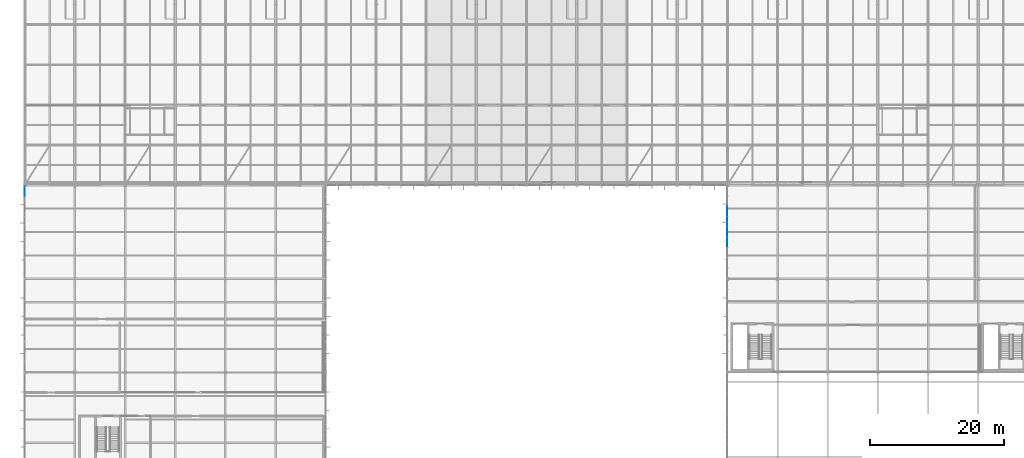
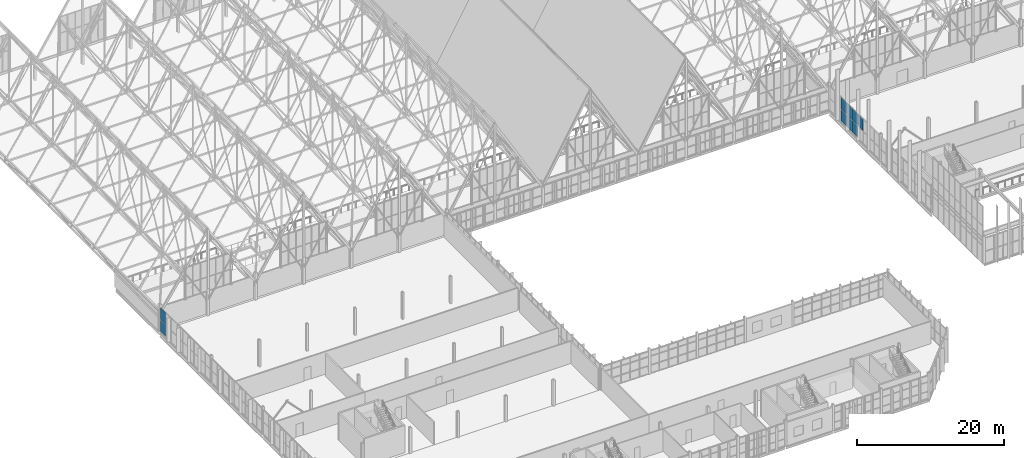
# One storey, part 272 of 324: 9 plates, 2 elements without a shape of their own.
"""IFC4 building model written with IfcOpenShell, lengths in metres."""

import ifcopenshell
import ifcopenshell.guid

model = None  # the IFC model being written
_history = None  # IfcOwnerHistory: only IFC2X3 demands one
_inside = {}  # id of a spatial element -> (the spatial element, [elements in it])
_under = {}  # id of a project, library or spatial element -> (it, [spatial elements below it])
_declared = {}  # id of a project -> (the project, [libraries it declares])
_typed = {}  # id of a type object -> (the type object, [elements of that type])
_made_of = {}  # id of a material, layer set ... -> (it, [elements and type objects made of it])


def new_model(schema):
    """Start an empty IFC model of exactly this schema.

    Asked for "IFC4X3", IfcOpenShell would pick the latest addendum, in which some entities
    have other attributes; the version numbers below select the first issue.
    IFC2X3 requires an IfcOwnerHistory on every rooted entity: one is made here for all.
    """
    global model, _history
    if schema == "IFC4X3":
        model = ifcopenshell.file(schema_version=(4, 3, 0, 0))
    else:
        model = ifcopenshell.file(schema=schema)
    _inside.clear()
    _under.clear()
    _declared.clear()
    _typed.clear()
    _made_of.clear()
    _history = None
    if model.schema == "IFC2X3":
        org = make("IfcOrganization", Name="unknown")
        user = make(
            "IfcPersonAndOrganization",
            ThePerson=make("IfcPerson", FamilyName="unknown"),
            TheOrganization=org,
        )
        app = make(
            "IfcApplication",
            ApplicationDeveloper=org,
            Version="unknown",
            ApplicationFullName="unknown",
            ApplicationIdentifier="unknown",
        )
        _history = make(
            "IfcOwnerHistory",
            OwningUser=user,
            OwningApplication=app,
            ChangeAction="ADDED",
            CreationDate=0,
        )
    return model


def make(cls, **values):
    """One entity of the class cls with the attributes given. An attribute that is None is left unset."""
    return model.create_entity(
        cls, **{name: value for name, value in values.items() if value is not None}
    )


def rooted(cls, **values):
    """An entity with a GlobalId (a new one), such as an element, a storey or a relation."""
    return make(cls, GlobalId=ifcopenshell.guid.new(), OwnerHistory=_history, **values)


def si_unit(unit_type, name, prefix=None):
    """IfcSIUnit, for example si_unit("LENGTHUNIT", "METRE", prefix="MILLI")."""
    return make("IfcSIUnit", UnitType=unit_type, Prefix=prefix, Name=name)


def assignment(units):
    """IfcUnitAssignment: the units of a project."""
    return None if units is None else make("IfcUnitAssignment", Units=units)


def point(xyz):
    """IfcCartesianPoint."""
    return None if xyz is None else make("IfcCartesianPoint", Coordinates=xyz)


def direction(xyz):
    """IfcDirection."""
    return None if xyz is None else make("IfcDirection", DirectionRatios=xyz)


def frame(location, z_axis=None, x_axis=None):
    """IfcAxis2Placement3D, a coordinate frame: its origin and axes. An axis left out is left unset."""
    return make(
        "IfcAxis2Placement3D",
        Location=point(location),
        Axis=direction(z_axis),
        RefDirection=direction(x_axis),
    )


def frame_2d(location, x_axis=None):
    """IfcAxis2Placement2D, a coordinate frame in the plane: its origin and x axis."""
    return make(
        "IfcAxis2Placement2D", Location=point(location), RefDirection=direction(x_axis)
    )


def origin():
    """The frame at (0, 0, 0) with its axes left unset."""
    return frame((0.0, 0.0, 0.0))


def origin_2d():
    """The frame at (0, 0) in the plane with its x axis left unset."""
    return frame_2d((0.0, 0.0))


def place(relative_to, where):
    """IfcLocalPlacement: puts the frame where relative to a parent placement (None: the world)."""
    return make(
        "IfcLocalPlacement", PlacementRelTo=relative_to, RelativePlacement=where
    )


def context(
    kind, dimensions, precision=None, world=None, true_north=None, identifier=None
):
    """IfcGeometricRepresentationContext, for example the 3D "Model" context."""
    return make(
        "IfcGeometricRepresentationContext",
        ContextIdentifier=identifier,
        ContextType=kind,
        CoordinateSpaceDimension=dimensions,
        Precision=precision,
        WorldCoordinateSystem=world,
        TrueNorth=true_north,
    )


def subcontext(parent, identifier, kind, view, scale=None):
    """IfcGeometricRepresentationSubContext, for example "Body" below "Model"."""
    return make(
        "IfcGeometricRepresentationSubContext",
        ContextIdentifier=identifier,
        ContextType=kind,
        ParentContext=parent,
        TargetScale=scale,
        TargetView=view,
    )


def project(units=None, contexts=None):
    """IfcProject with its units and contexts."""
    return rooted(
        "IfcProject",
        Name="project",
        RepresentationContexts=contexts,
        UnitsInContext=assignment(units),
    )


def spatial(cls, under=None, at=None, **own):
    """A site, building, storey or space (cls), placed at a placement, below another one or the project."""
    s = rooted(cls, ObjectPlacement=at, **own)
    if under is not None:
        _under.setdefault(under.id(), (under, []))[1].append(s)
    return s


def profile(cls, at=None, kind="AREA", **sizes):
    """A parametric profile (cls). Its sizes go by their IFC names, for example OverallWidth=200.0."""
    return make(cls, ProfileType=kind, Position=at, **sizes)


def rectangle(**sizes):
    """IfcRectangleProfileDef."""
    return profile("IfcRectangleProfileDef", **sizes)


def extrude(swept, where, along, depth):
    """IfcExtrudedAreaSolid: the profile swept, set in the frame where, extruded along a direction by depth."""
    return make(
        "IfcExtrudedAreaSolid",
        SweptArea=swept,
        Position=where,
        ExtrudedDirection=direction(along),
        Depth=depth,
    )


def shape(context_of_items, identifier, shape_type, items):
    """IfcShapeRepresentation: the items that make up one representation, for example the "Body"."""
    return make(
        "IfcShapeRepresentation",
        ContextOfItems=context_of_items,
        RepresentationIdentifier=identifier,
        RepresentationType=shape_type,
        Items=items,
    )


def material(Name=None, Category=None):
    """IfcMaterial."""
    return make("IfcMaterial", Name=Name, Category=Category)


def layer(
    of_material, thickness, ventilated=None, Name=None, Category=None, Priority=None
):
    """IfcMaterialLayer: one layer of a wall or slab, of a material (None: an air gap)."""
    return make(
        "IfcMaterialLayer",
        Material=of_material,
        LayerThickness=thickness,
        IsVentilated=ventilated,
        Name=Name,
        Category=Category,
        Priority=Priority,
    )


def layer_set(layers, Name=None):
    """IfcMaterialLayerSet."""
    return make("IfcMaterialLayerSet", MaterialLayers=layers, LayerSetName=Name)


def made_of(thing, what):
    """Note that an element or type object is made of a material, layer set ...; save() writes the relation."""
    if what is not None:
        _made_of.setdefault(what.id(), (what, []))[1].append(thing)
    return thing


def type_object(cls, material=None, **own):
    """A type object (cls), such as IfcWallType, which elements share."""
    return made_of(rooted(cls, **own), material)


def element(
    cls,
    number,
    at=None,
    inside=None,
    cuts=None,
    type_object=None,
    material=None,
    context=None,
    identifier="Body",
    shape_type=None,
    held_by="IfcProductDefinitionShape",
    body=None,
    shapes=None,
    **own,
):
    """One element of the class cls, such as IfcWall. Its Tag is "e" and its number.

    at: its placement. inside: the storey or other place that contains it. cuts: it is an
    opening in that element (IfcRelVoidsElement). A single representation is given by context,
    identifier, shape_type and body (its items); several are given by shapes. held_by: the class
    of the entity that holds the representations. save() writes the other relations.
    """
    e = rooted(cls, Tag="e%d" % number, ObjectPlacement=at, **own)
    if body is not None:
        shapes = [shape(context, identifier, shape_type, body)]
    if shapes is not None:
        e.Representation = make(held_by, Representations=shapes)
    if inside is not None:
        _inside.setdefault(inside.id(), (inside, []))[1].append(e)
    if cuts is not None:
        rooted(
            "IfcRelVoidsElement", RelatingBuildingElement=cuts, RelatedOpeningElement=e
        )
    if type_object is not None:
        _typed.setdefault(type_object.id(), (type_object, []))[1].append(e)
    return made_of(e, material)


def aggregate(whole, parts):
    """IfcRelAggregates: a whole, such as a stair, and the parts it consists of."""
    return rooted("IfcRelAggregates", RelatingObject=whole, RelatedObjects=parts)


def save(model, path):
    """Write the relations noted so far, then the file.

    IfcRelAggregates (storeys below a building ...), IfcRelContainedInSpatialStructure (elements
    in a storey), IfcRelDefinesByType, IfcRelAssociatesMaterial and IfcRelDeclares: one each for
    every whole, place, type object, material and project.
    """
    for whole, parts in _under.values():
        aggregate(whole, parts)
    for where, things in _inside.values():
        rooted(
            "IfcRelContainedInSpatialStructure",
            RelatedElements=things,
            RelatingStructure=where,
        )
    for kind, things in _typed.values():
        rooted("IfcRelDefinesByType", RelatedObjects=things, RelatingType=kind)
    for what, things in _made_of.values():
        rooted("IfcRelAssociatesMaterial", RelatedObjects=things, RelatingMaterial=what)
    for by, libraries in _declared.values():
        rooted("IfcRelDeclares", RelatingContext=by, RelatedDefinitions=libraries)
    model.write(path)


model = new_model("IFC4")

# Units and contexts
model_context = context("Model", 3, precision=1e-05, world=origin(), true_north=direction((0.0, 1.0)))
body_context = subcontext(model_context, "Body", "Model", "MODEL_VIEW")
ifc_project = project(units=[si_unit("LENGTHUNIT", "METRE"), si_unit("AREAUNIT", "SQUARE_METRE"), si_unit("VOLUMEUNIT", "CUBIC_METRE"), si_unit("PLANEANGLEUNIT", "RADIAN"), si_unit("MASSUNIT", "GRAM", prefix="KILO")], contexts=[model_context])

# Site, building, storey
site_placement = place(None, origin())
site = spatial("IfcSite", under=ifc_project, at=site_placement, CompositionType="ELEMENT")
building_placement = place(site_placement, origin())
building = spatial("IfcBuilding", under=site, at=building_placement, Name="Solvenia Promenade Tram Depot", CompositionType="ELEMENT")
storey_placement = place(building_placement, frame((0.0, 0.0, 4.5)))
storey = spatial("IfcBuildingStorey", under=building, at=storey_placement, Name="L01", CompositionType="ELEMENT", Elevation=4.5)

# Curtain wall, plates
ifc_material_1 = material(Name="Anodized aluminium AW-6063 T6", Category="aluminium")
ifc_layer_1 = layer(ifc_material_1, 0.1201171875, Name="Anodized aluminium AW-6063 T6", Category="aluminium")
ifc_layer_set_1 = layer_set([ifc_layer_1], Name="Anodized aluminium AW-6063 T6")
curtain_wall_type_1 = type_object("IfcCurtainWallType", Name="CW-Wash-1500", PredefinedType="NOTDEFINED", material=ifc_layer_set_1)
curtain_wall_1_placement = place(storey_placement, origin())
curtain_wall_1 = element("IfcCurtainWall", 1, at=curtain_wall_1_placement, inside=storey, type_object=curtain_wall_type_1, Name="Curtain Wall CW-V3-W-L1-3", PredefinedType="NOTDEFINED")
ifc_material_2 = material(Name="Low-iron translucent U-profile channel glass", Category="glass")
ifc_layer_2 = layer(ifc_material_2, 0.028076171875, Name="Low-iron translucent U-profile channel glass", Category="glass")
ifc_layer_set_2 = layer_set([ifc_layer_2], Name="Low-iron translucent U-profile channel glass")
plate_type_1 = type_object("IfcPlateType", Name="CWP-Panel-1", PredefinedType="CURTAIN_PANEL", material=ifc_layer_set_2)
plate_1_placement = place(storey_placement, frame((0.0, 65.08154296875, 0.06005859375), z_axis=(0.0, 0.0, 1.0), x_axis=(0.0, 1.0, 0.0)))
plate_1 = element("IfcPlate", 2, at=plate_1_placement, type_object=plate_type_1, Name="CW-10 panel 9.1", PredefinedType="CURTAIN_PANEL", context=body_context, shape_type="SweptSolid", body=[
    extrude(rectangle(XDim=1.453125, YDim=0.028076171875, at=origin_2d()), origin(), (0.0, 0.0, 1.0), 1.909912109375),
])
plate_2_placement = place(storey_placement, frame((0.0, 65.08154296875, 2.030029296875), z_axis=(0.0, 0.0, 1.0), x_axis=(0.0, 1.0, 0.0)))
plate_2 = element("IfcPlate", 3, at=plate_2_placement, type_object=plate_type_1, Name="CW-10 panel 9.2", PredefinedType="CURTAIN_PANEL", context=body_context, shape_type="SweptSolid", body=[
    extrude(rectangle(XDim=1.453125, YDim=0.028076171875, at=origin_2d()), origin(), (0.0, 0.0, 1.0), 1.9599609375),
])
aggregate(curtain_wall_1, [plate_1, plate_2])

ifc_layer_3 = layer(ifc_material_1, 0.14990234375, Name="Anodized aluminium AW-6063 T6", Category="aluminium")
ifc_layer_set_3 = layer_set([ifc_layer_3], Name="Anodized aluminium AW-6063 T6")
curtain_wall_type_2 = type_object("IfcCurtainWallType", Name="CW-Court-1500", PredefinedType="NOTDEFINED", material=ifc_layer_set_3)
curtain_wall_2_placement = place(storey_placement, origin())
curtain_wall_2 = element("IfcCurtainWall", 4, at=curtain_wall_2_placement, inside=storey, type_object=curtain_wall_type_2, Name="Curtain Wall CW-V2W-L1-2", PredefinedType="NOTDEFINED")
ifc_material_3 = material(Name="Double low-e argon insulated glass", Category="glass")
ifc_layer_4 = layer(ifc_material_3, 0.031982421875, Name="Double low-e argon insulated glass", Category="glass")
ifc_layer_set_4 = layer_set([ifc_layer_4], Name="Double low-e argon insulated glass")
plate_type_2 = type_object("IfcPlateType", Name="CWP-Panel-2", PredefinedType="CURTAIN_PANEL", material=ifc_layer_set_4)
plate_3_placement = place(storey_placement, frame((105.0, 57.462158203125, 2.03271484375), z_axis=(0.0, 0.0, 1.0), x_axis=(0.0, 1.0, 0.0)))
plate_3 = element("IfcPlate", 5, at=plate_3_placement, type_object=plate_type_2, Name="CW-5 panel 4.2", PredefinedType="CURTAIN_PANEL", context=body_context, shape_type="SweptSolid", body=[
    extrude(rectangle(XDim=1.48779296875, YDim=0.031982421875, at=origin_2d()), origin(), (0.0, 0.0, 1.0), 1.952392578125),
])
plate_4_placement = place(storey_placement, frame((105.0, 59.0, 0.06494140625), z_axis=(0.0, 0.0, 1.0), x_axis=(0.0, 1.0, 0.0)))
plate_4 = element("IfcPlate", 6, at=plate_4_placement, type_object=plate_type_2, Name="CW-5 panel 5.1", PredefinedType="CURTAIN_PANEL", context=body_context, shape_type="SweptSolid", body=[
    extrude(rectangle(XDim=1.48779296875, YDim=0.031982421875, at=origin_2d()), origin(), (0.0, 0.0, 1.0), 1.902587890625),
])
plate_5_placement = place(storey_placement, frame((105.0, 59.0, 2.03271484375), z_axis=(0.0, 0.0, 1.0), x_axis=(0.0, 1.0, 0.0)))
plate_5 = element("IfcPlate", 7, at=plate_5_placement, type_object=plate_type_2, Name="CW-5 panel 5.2", PredefinedType="CURTAIN_PANEL", context=body_context, shape_type="SweptSolid", body=[
    extrude(rectangle(XDim=1.48779296875, YDim=0.031982421875, at=origin_2d()), origin(), (0.0, 0.0, 1.0), 1.952392578125),
])
plate_6_placement = place(storey_placement, frame((105.0, 60.537841796875, 0.06494140625), z_axis=(0.0, 0.0, 1.0), x_axis=(0.0, 1.0, 0.0)))
plate_6 = element("IfcPlate", 8, at=plate_6_placement, type_object=plate_type_2, Name="CW-5 panel 6.1", PredefinedType="CURTAIN_PANEL", context=body_context, shape_type="SweptSolid", body=[
    extrude(rectangle(XDim=1.48779296875, YDim=0.031982421875, at=origin_2d()), origin(), (0.0, 0.0, 1.0), 1.902587890625),
])
plate_7_placement = place(storey_placement, frame((105.0, 60.537841796875, 2.03271484375), z_axis=(0.0, 0.0, 1.0), x_axis=(0.0, 1.0, 0.0)))
plate_7 = element("IfcPlate", 9, at=plate_7_placement, type_object=plate_type_2, Name="CW-5 panel 6.2", PredefinedType="CURTAIN_PANEL", context=body_context, shape_type="SweptSolid", body=[
    extrude(rectangle(XDim=1.48779296875, YDim=0.031982421875, at=origin_2d()), origin(), (0.0, 0.0, 1.0), 1.952392578125),
])
plate_8_placement = place(storey_placement, frame((105.0, 62.075439453125, 0.06494140625), z_axis=(0.0, 0.0, 1.0), x_axis=(0.0, 1.0, 0.0)))
plate_8 = element("IfcPlate", 10, at=plate_8_placement, type_object=plate_type_2, Name="CW-5 panel 7.1", PredefinedType="CURTAIN_PANEL", context=body_context, shape_type="SweptSolid", body=[
    extrude(rectangle(XDim=1.48779296875, YDim=0.031982421875, at=origin_2d()), origin(), (0.0, 0.0, 1.0), 1.902587890625),
])
plate_9_placement = place(storey_placement, frame((105.0, 62.075439453125, 2.03271484375), z_axis=(0.0, 0.0, 1.0), x_axis=(0.0, 1.0, 0.0)))
plate_9 = element("IfcPlate", 11, at=plate_9_placement, type_object=plate_type_2, Name="CW-5 panel 7.2", PredefinedType="CURTAIN_PANEL", context=body_context, shape_type="SweptSolid", body=[
    extrude(rectangle(XDim=1.48779296875, YDim=0.031982421875, at=origin_2d()), origin(), (0.0, 0.0, 1.0), 1.952392578125),
])
aggregate(curtain_wall_2, [plate_3, plate_4, plate_5, plate_6, plate_7, plate_8, plate_9])

save(model, "model.ifc")
